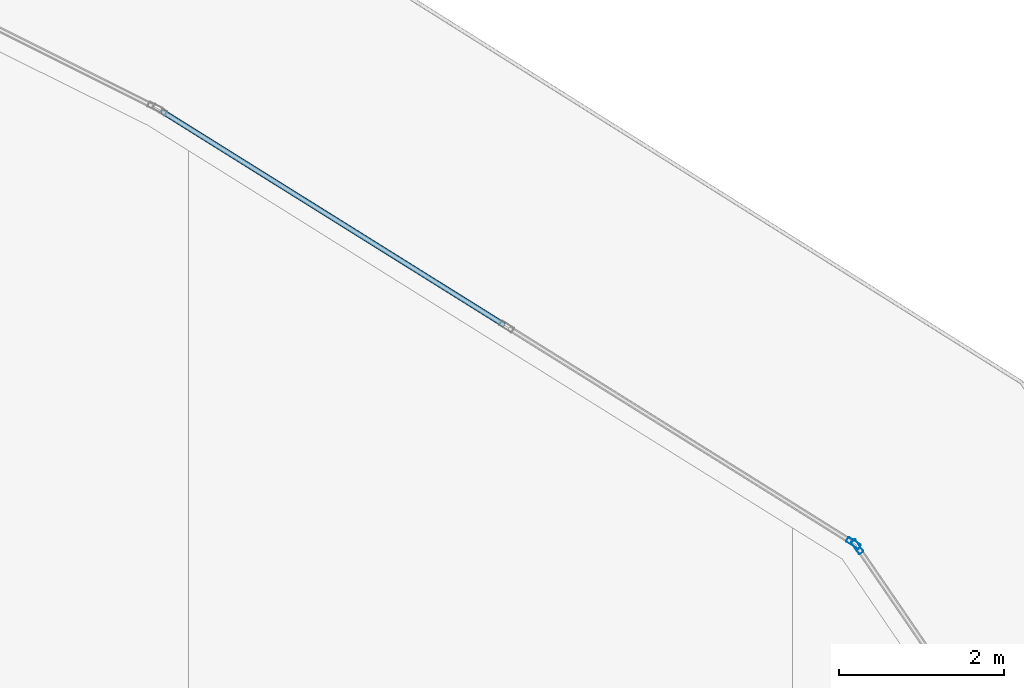
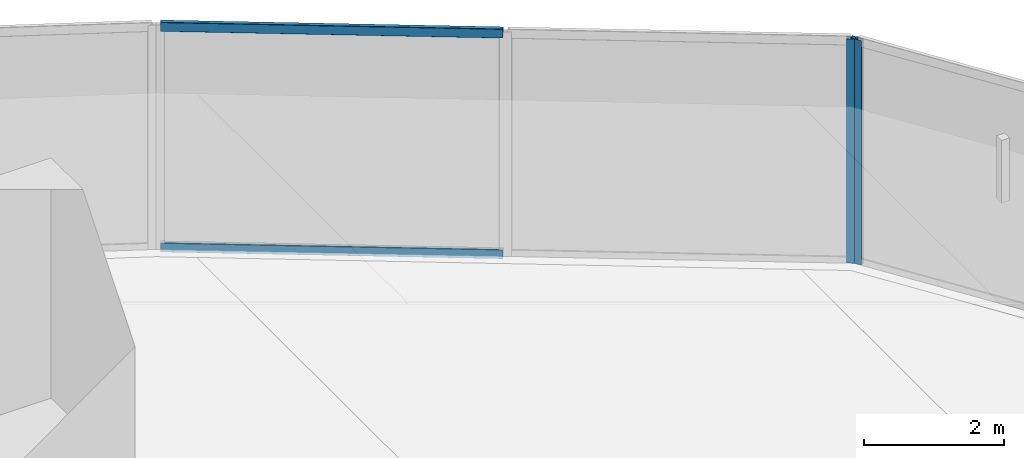
# One storey, part 22 of 44: 4 members, 2 elements without a shape of their own.
"""IFC4 building model written with IfcOpenShell, lengths in metres."""

from ifc_helpers import new_model, si_unit, direction, frame, origin, origin_2d, place, context, subcontext, project, spatial, hollow_rectangle, extrude, material, layer, layer_set, material_profile, profile_set, type_object, element, aggregate, save


model = new_model("IFC4")

# Units and contexts
model_context = context("Model", 3, precision=1e-05, world=origin(), true_north=direction((0.0, 1.0)))
body_context = subcontext(model_context, "Body", "Model", "MODEL_VIEW")
ifc_project = project(units=[si_unit("LENGTHUNIT", "METRE"), si_unit("AREAUNIT", "SQUARE_METRE"), si_unit("VOLUMEUNIT", "CUBIC_METRE"), si_unit("PLANEANGLEUNIT", "RADIAN"), si_unit("MASSUNIT", "GRAM", prefix="KILO")], contexts=[model_context])

# Site, building, storey
site_placement = place(None, origin())
site = spatial("IfcSite", under=ifc_project, at=site_placement, CompositionType="ELEMENT")
building_placement = place(site_placement, origin())
building = spatial("IfcBuilding", under=site, at=building_placement, Name="Qorvath Tower", CompositionType="ELEMENT")
storey_placement = place(building_placement, frame((0.0, 0.0, 53.39990234375)))
storey = spatial("IfcBuildingStorey", under=building, at=storey_placement, Name="L11", CompositionType="ELEMENT", Elevation=53.39990234375)

# Curtain wall, member
ifc_material_1 = material(Name="Anodised aluminium and triple low-E glass", Category="aluminium")
ifc_layer = layer(ifc_material_1, 0.179931640625)
ifc_layer_set = layer_set([ifc_layer], Name="CW-SYS-2")
curtain_wall_type = type_object("IfcCurtainWallType", Name="CW-SYS-2", PredefinedType="NOTDEFINED", material=ifc_layer_set)
curtain_wall_1_placement = place(storey_placement, origin())
curtain_wall_1 = element("IfcCurtainWall", 1, at=curtain_wall_1_placement, inside=storey, type_object=curtain_wall_type, Name="Curtain Wall CW-2 CW-T-L11-13.1", PredefinedType="NOTDEFINED")
ifc_material_2 = material(Name="Anodised aluminium 6063-T6", Category="aluminium")
ifc_material_profile_1 = material_profile(ifc_material_2, hollow_rectangle(XDim=0.06494140625, YDim=0.179931640625, WallThickness=0.00341796875, InnerFilletRadius=0.00341796875, OuterFilletRadius=0.007080078125, at=origin_2d()), Name="CWM 180x65")
ifc_profile_set_1 = profile_set([ifc_material_profile_1], Name="Anodised aluminium 6063-T6")
member_type_1 = type_object("IfcMemberType", Name="CWM-180", PredefinedType="MULLION", material=ifc_profile_set_1)
member_1_placement = place(storey_placement, frame((-1.5859375, 25.69384765625, 0.0), z_axis=(0.0, 0.0, 1.0), x_axis=(-0.825849008834, -0.563891314535, 0.0)))
member_1 = element("IfcMember", 2, at=member_1_placement, type_object=member_type_1, Name="CW-2 mullion 2", PredefinedType="MULLION", context=body_context, shape_type="SweptSolid", body=[
    extrude(hollow_rectangle(XDim=0.06494140625, YDim=0.179931640625, WallThickness=0.00341796875, InnerFilletRadius=0.00341796875, OuterFilletRadius=0.007080078125, at=origin_2d()), origin(), (0.0, 0.0, 1.0), 3.920166015625),
])
aggregate(curtain_wall_1, [member_1])

# Curtain wall, members
curtain_wall_2_placement = place(storey_placement, origin())
curtain_wall_2 = element("IfcCurtainWall", 3, at=curtain_wall_2_placement, inside=storey, type_object=curtain_wall_type, Name="Curtain Wall CW-2 CW-T-L11-14.1", PredefinedType="NOTDEFINED")
member_2_placement = place(storey_placement, frame((-1.6318359375, 25.738037109375, 0.0), z_axis=(0.0, 0.0, 1.0), x_axis=(-0.529724040691, -0.848170054125, 0.0)))
member_2 = element("IfcMember", 4, at=member_2_placement, type_object=member_type_1, Name="CW-2 mullion 1", PredefinedType="MULLION", context=body_context, shape_type="SweptSolid", body=[
    extrude(hollow_rectangle(XDim=0.06494140625, YDim=0.179931640625, WallThickness=0.00341796875, InnerFilletRadius=0.00341796875, OuterFilletRadius=0.007080078125, at=origin_2d()), origin(), (0.0, 0.0, 1.0), 3.920166015625),
])
ifc_material_3 = material(Name="Anodised aluminium 6063-T6", Category="aluminium")
ifc_material_profile_2 = material_profile(ifc_material_3, hollow_rectangle(XDim=0.06494140625, YDim=0.159912109375, WallThickness=0.00341796875, InnerFilletRadius=0.00341796875, OuterFilletRadius=0.007080078125, at=origin_2d()), Name="CWT 160x65")
ifc_profile_set_2 = profile_set([ifc_material_profile_2], Name="Anodised aluminium 6063-T6")
member_type_2 = type_object("IfcMemberType", Name="CWT-160", PredefinedType="USERDEFINED", material=ifc_profile_set_2)
member_3_placement = place(storey_placement, frame((-5.87548828125, 28.388427734375, 0.032470703125), z_axis=(-0.848174397851, 0.52971708565, 0.0), x_axis=(-0.52971708565, -0.848174397851, 0.0)))
member_3 = element("IfcMember", 5, at=member_3_placement, type_object=member_type_2, Name="CW-2 transom 2.1", ObjectType="TRANSOM", PredefinedType="USERDEFINED", context=body_context, shape_type="SweptSolid", body=[
    extrude(hollow_rectangle(XDim=0.06494140625, YDim=0.159912109375, WallThickness=0.00341796875, InnerFilletRadius=0.00341796875, OuterFilletRadius=0.007080078125, at=origin_2d()), origin(), (0.0, 0.0, 1.0), 4.90576171875),
])
member_4_placement = place(storey_placement, frame((-5.87548828125, 28.388427734375, 3.8876953125), z_axis=(-0.848174397851, 0.52971708565, 0.0), x_axis=(-0.52971708565, -0.848174397851, 0.0)))
member_4 = element("IfcMember", 6, at=member_4_placement, type_object=member_type_2, Name="CW-2 transom 2.2", ObjectType="TRANSOM", PredefinedType="USERDEFINED", context=body_context, shape_type="SweptSolid", body=[
    extrude(hollow_rectangle(XDim=0.06494140625, YDim=0.159912109375, WallThickness=0.00341796875, InnerFilletRadius=0.00341796875, OuterFilletRadius=0.007080078125, at=origin_2d()), origin(), (0.0, 0.0, 1.0), 4.90576171875),
])
aggregate(curtain_wall_2, [member_2, member_3, member_4])

save(model, "model.ifc")
